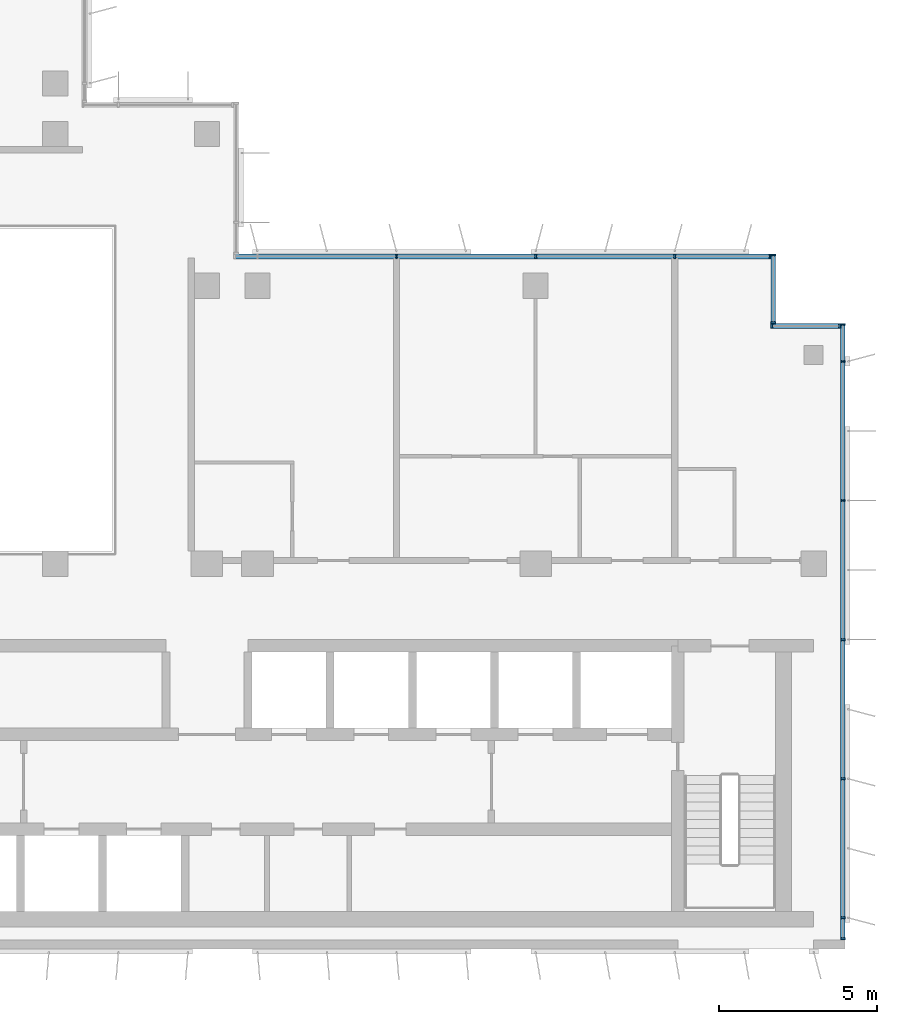
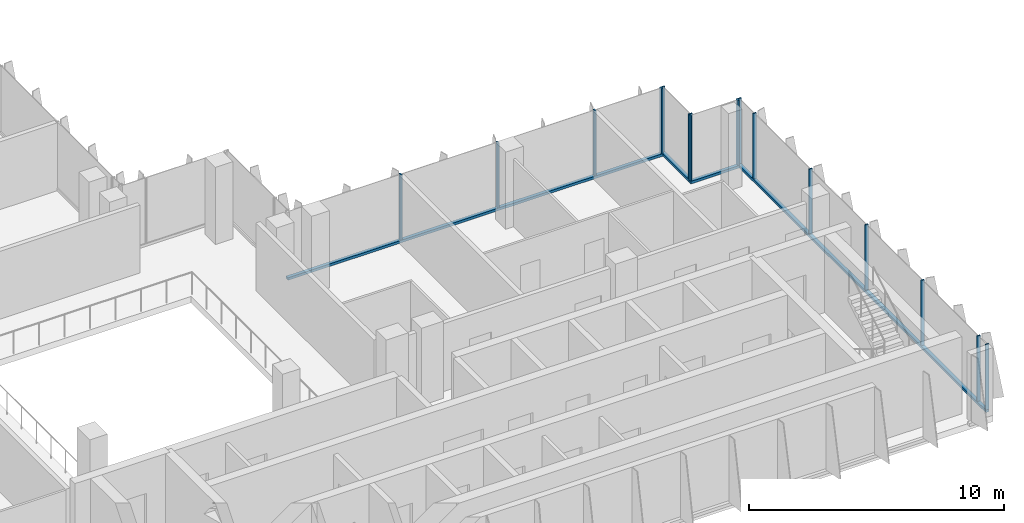
# One storey, part 3 of 15: 19 members, 4 elements without a shape of their own.
"""IFC4 building model written with IfcOpenShell, lengths in metres."""

from ifc_helpers import new_model, si_unit, direction, frame, origin, origin_2d, place, context, subcontext, project, spatial, rectangle, extrude, source, transform, mapped, material, material_profile, profile_set, type_object, element, aggregate, save


model = new_model("IFC4")

# Units and contexts
model_context = context("Model", 3, precision=1e-05, world=origin(), true_north=direction((0.0, 1.0)))
body_context = subcontext(model_context, "Body", "Model", "MODEL_VIEW")
ifc_project = project(units=[si_unit("LENGTHUNIT", "METRE"), si_unit("AREAUNIT", "SQUARE_METRE"), si_unit("VOLUMEUNIT", "CUBIC_METRE"), si_unit("PLANEANGLEUNIT", "RADIAN"), si_unit("MASSUNIT", "GRAM", prefix="KILO")], contexts=[model_context])

# Site, building, storey
site_placement = place(None, origin())
site = spatial("IfcSite", under=ifc_project, at=site_placement, CompositionType="ELEMENT")
building_placement = place(site_placement, origin())
building = spatial("IfcBuilding", under=site, at=building_placement, Name="Kemantara Hotel Tower", CompositionType="ELEMENT")
storey_placement = place(building_placement, frame((0.0, 0.0, 305.5)))
storey = spatial("IfcBuildingStorey", under=building, at=storey_placement, Name="L77", CompositionType="ELEMENT", Elevation=305.5)

# Curtain wall, member
ifc_material_1 = material(Name="Low-E tinted double insulated glass 36 mm", Category="glass")
curtain_wall_type = type_object("IfcCurtainWallType", Name="TOWER CURTAIN WALL, FRONT FACES", PredefinedType="USERDEFINED", material=ifc_material_1)
curtain_wall_1_placement = place(storey_placement, origin())
curtain_wall_1 = element("IfcCurtainWall", 1, at=curtain_wall_1_placement, inside=storey, type_object=curtain_wall_type, Name="CW4 L77 T4-R09-1", ObjectType="TOWER CURTAIN WALL, FRONT FACES", PredefinedType="USERDEFINED")
ifc_material_2 = material(Name="Aluminium 6063-T6 bronze anodised", Category="aluminium")
ifc_material_profile_1 = material_profile(ifc_material_2, rectangle(XDim=0.14990234375, YDim=0.1201171875, at=origin_2d()), Name="TOWER CURTAIN WALL, FRONT FACES TRANSOM")
ifc_profile_set_1 = profile_set([ifc_material_profile_1], Name="Aluminium 6063-T6 bronze anodised")
member_type_1 = type_object("IfcMemberType", Name="TOWER CURTAIN WALL, FRONT FACES TRANSOM", PredefinedType="USERDEFINED", material=ifc_profile_set_1)
member_1_placement = place(storey_placement, frame((45.925048828125, 0.300048828125, 0.06005859375), z_axis=(0.0, 1.0, 0.0), x_axis=(-1.0, 0.0, 0.0)))
member_1 = element("IfcMember", 2, at=member_1_placement, type_object=member_type_1, Name="CW4 sill transom T4-R09-1", ObjectType="TRANSOM", PredefinedType="USERDEFINED", context=body_context, shape_type="SweptSolid", body=[
    extrude(rectangle(XDim=0.14990234375, YDim=0.1201171875, at=origin_2d()), origin(), (0.0, 0.0, 1.0), 19.5),
])

curtain_wall_2_placement = place(storey_placement, origin())
curtain_wall_2 = element("IfcCurtainWall", 3, at=curtain_wall_2_placement, inside=storey, type_object=curtain_wall_type, Name="CW4 L77 T4-R12-1", ObjectType="TOWER CURTAIN WALL, FRONT FACES", PredefinedType="USERDEFINED")
member_2_placement = place(storey_placement, frame((43.64990234375, 21.925048828125, 0.06005859375), z_axis=(-1.0, 0.0, 0.0), x_axis=(0.0, -1.0, 0.0)))
member_2 = element("IfcMember", 4, at=member_2_placement, type_object=member_type_1, Name="CW4 sill transom T4-R12-1", ObjectType="TRANSOM", PredefinedType="USERDEFINED", context=body_context, shape_type="SweptSolid", body=[
    extrude(rectangle(XDim=0.14990234375, YDim=0.1201171875, at=origin_2d()), origin(), (0.0, 0.0, 1.0), 17.0),
])

curtain_wall_3_placement = place(storey_placement, origin())
curtain_wall_3 = element("IfcCurtainWall", 5, at=curtain_wall_3_placement, inside=storey, type_object=curtain_wall_type, Name="CW4 L77 T4-R10-1", ObjectType="TOWER CURTAIN WALL, FRONT FACES", PredefinedType="USERDEFINED")
member_3_placement = place(storey_placement, frame((45.85009765625, 19.72509765625, 0.06005859375), z_axis=(-1.0, 0.0, 0.0), x_axis=(0.0, -1.0, 0.0)))
member_3 = element("IfcMember", 6, at=member_3_placement, type_object=member_type_1, Name="CW4 sill transom T4-R10-1", ObjectType="TRANSOM", PredefinedType="USERDEFINED", context=body_context, shape_type="SweptSolid", body=[
    extrude(rectangle(XDim=0.14990234375, YDim=0.1201171875, at=origin_2d()), origin(), (0.0, 0.0, 1.0), 2.2001953125),
])

curtain_wall_4_placement = place(storey_placement, origin())
curtain_wall_4 = element("IfcCurtainWall", 7, at=curtain_wall_4_placement, inside=storey, type_object=curtain_wall_type, Name="CW4 L77 T4-R11-1", ObjectType="TOWER CURTAIN WALL, FRONT FACES", PredefinedType="USERDEFINED")
member_4_placement = place(storey_placement, frame((43.72509765625, 19.800048828125, 0.06005859375), z_axis=(0.0, 1.0, 0.0), x_axis=(-1.0, 0.0, 0.0)))
member_4 = element("IfcMember", 8, at=member_4_placement, type_object=member_type_1, Name="CW4 sill transom T4-R11-1", ObjectType="TRANSOM", PredefinedType="USERDEFINED", context=body_context, shape_type="SweptSolid", body=[
    extrude(rectangle(XDim=0.14990234375, YDim=0.1201171875, at=origin_2d()), origin(), (0.0, 0.0, 1.0), 2.199951171875),
])

# Member
ifc_material_profile_2 = material_profile(ifc_material_2, rectangle(XDim=0.14990234375, YDim=0.06005859375, at=origin_2d()), Name="TOWER CURTAIN WALL, FRONT FACES MULLION")
ifc_profile_set_2 = profile_set([ifc_material_profile_2], Name="Aluminium 6063-T6 bronze anodised")
member_type_2 = type_object("IfcMemberType", Name="TOWER CURTAIN WALL, FRONT FACES MULLION", PredefinedType="MULLION", material=ifc_profile_set_2)
shared_shape = source(origin(), body_context, "Body", "SweptSolid", [
    extrude(rectangle(XDim=0.14990234375, YDim=0.06005859375, at=origin_2d()), origin(), (0.0, 0.0, 1.0), 3.1298828125),
])
member_5_placement = place(storey_placement, frame((45.925048828125, 0.330078125, 0.1201171875), z_axis=(0.0, 0.0, 1.0), x_axis=(-1.0, 0.0, 0.0)))
member_5 = element("IfcMember", 9, at=member_5_placement, type_object=member_type_2, Name="CW4 mullion T4-R09-1.1", PredefinedType="MULLION", context=body_context, shape_type="MappedRepresentation", body=[
    mapped(shared_shape, transform((0.0, 0.0, 0.0))),
])

member_6_placement = place(storey_placement, frame((45.925048828125, 1.0, 0.1201171875), z_axis=(0.0, 0.0, 1.0), x_axis=(-1.0, 0.0, 0.0)))
member_6 = element("IfcMember", 10, at=member_6_placement, type_object=member_type_2, Name="CW4 mullion T4-R09-1.2", PredefinedType="MULLION", context=body_context, shape_type="MappedRepresentation", body=[
    mapped(shared_shape, transform((0.0, 0.0, 0.0))),
])

member_7_placement = place(storey_placement, frame((45.925048828125, 5.39990234375, 0.1201171875), z_axis=(0.0, 0.0, 1.0), x_axis=(-1.0, 0.0, 0.0)))
member_7 = element("IfcMember", 11, at=member_7_placement, type_object=member_type_2, Name="CW4 mullion T4-R09-1.3", PredefinedType="MULLION", context=body_context, shape_type="MappedRepresentation", body=[
    mapped(shared_shape, transform((0.0, 0.0, 0.0))),
])

member_8_placement = place(storey_placement, frame((45.925048828125, 9.800048828125, 0.1201171875), z_axis=(0.0, 0.0, 1.0), x_axis=(-1.0, 0.0, 0.0)))
member_8 = element("IfcMember", 12, at=member_8_placement, type_object=member_type_2, Name="CW4 mullion T4-R09-1.4", PredefinedType="MULLION", context=body_context, shape_type="MappedRepresentation", body=[
    mapped(shared_shape, transform((0.0, 0.0, 0.0))),
])

member_9_placement = place(storey_placement, frame((45.925048828125, 14.199951171875, 0.1201171875), z_axis=(0.0, 0.0, 1.0), x_axis=(-1.0, 0.0, 0.0)))
member_9 = element("IfcMember", 13, at=member_9_placement, type_object=member_type_2, Name="CW4 mullion T4-R09-1.5", PredefinedType="MULLION", context=body_context, shape_type="MappedRepresentation", body=[
    mapped(shared_shape, transform((0.0, 0.0, 0.0))),
])

member_10_placement = place(storey_placement, frame((45.925048828125, 18.60009765625, 0.1201171875), z_axis=(0.0, 0.0, 1.0), x_axis=(-1.0, 0.0, 0.0)))
member_10 = element("IfcMember", 14, at=member_10_placement, type_object=member_type_2, Name="CW4 mullion T4-R09-1.6", PredefinedType="MULLION", context=body_context, shape_type="MappedRepresentation", body=[
    mapped(shared_shape, transform((0.0, 0.0, 0.0))),
])

member_11_placement = place(storey_placement, frame((45.925048828125, 19.77001953125, 0.1201171875), z_axis=(0.0, 0.0, 1.0), x_axis=(-1.0, 0.0, 0.0)))
member_11 = element("IfcMember", 15, at=member_11_placement, type_object=member_type_2, Name="CW4 mullion T4-R09-1.7", PredefinedType="MULLION", context=body_context, shape_type="MappedRepresentation", body=[
    mapped(shared_shape, transform((0.0, 0.0, 0.0))),
])

aggregate(curtain_wall_1, [member_1, member_5, member_6, member_7, member_8, member_9, member_10, member_11])

member_12_placement = place(storey_placement, frame((43.6201171875, 21.925048828125, 0.1201171875), z_axis=(0.0, 0.0, 1.0), x_axis=(0.0, -1.0, 0.0)))
member_12 = element("IfcMember", 16, at=member_12_placement, type_object=member_type_2, Name="CW4 mullion T4-R12-1.1", PredefinedType="MULLION", context=body_context, shape_type="MappedRepresentation", body=[
    mapped(shared_shape, transform((0.0, 0.0, 0.0))),
])

member_13_placement = place(storey_placement, frame((40.60009765625, 21.925048828125, 0.1201171875), z_axis=(0.0, 0.0, 1.0), x_axis=(0.0, -1.0, 0.0)))
member_13 = element("IfcMember", 17, at=member_13_placement, type_object=member_type_2, Name="CW4 mullion T4-R12-1.2", PredefinedType="MULLION", context=body_context, shape_type="MappedRepresentation", body=[
    mapped(shared_shape, transform((0.0, 0.0, 0.0))),
])

member_14_placement = place(storey_placement, frame((36.199951171875, 21.925048828125, 0.1201171875), z_axis=(0.0, 0.0, 1.0), x_axis=(0.0, -1.0, 0.0)))
member_14 = element("IfcMember", 18, at=member_14_placement, type_object=member_type_2, Name="CW4 mullion T4-R12-1.3", PredefinedType="MULLION", context=body_context, shape_type="MappedRepresentation", body=[
    mapped(shared_shape, transform((0.0, 0.0, 0.0))),
])

member_15_placement = place(storey_placement, frame((31.800048828125, 21.925048828125, 0.1201171875), z_axis=(0.0, 0.0, 1.0), x_axis=(0.0, -1.0, 0.0)))
member_15 = element("IfcMember", 19, at=member_15_placement, type_object=member_type_2, Name="CW4 mullion T4-R12-1.4", PredefinedType="MULLION", context=body_context, shape_type="MappedRepresentation", body=[
    mapped(shared_shape, transform((0.0, 0.0, 0.0))),
])

aggregate(curtain_wall_2, [member_2, member_12, member_13, member_14, member_15])

member_16_placement = place(storey_placement, frame((45.820068359375, 19.72509765625, 0.1201171875), z_axis=(0.0, 0.0, 1.0), x_axis=(0.0, -1.0, 0.0)))
member_16 = element("IfcMember", 20, at=member_16_placement, type_object=member_type_2, Name="CW4 mullion T4-R10-1.1", PredefinedType="MULLION", context=body_context, shape_type="MappedRepresentation", body=[
    mapped(shared_shape, transform((0.0, 0.0, 0.0))),
])

member_17_placement = place(storey_placement, frame((43.679931640625, 19.72509765625, 0.1201171875), z_axis=(0.0, 0.0, 1.0), x_axis=(0.0, -1.0, 0.0)))
member_17 = element("IfcMember", 21, at=member_17_placement, type_object=member_type_2, Name="CW4 mullion T4-R10-1.2", PredefinedType="MULLION", context=body_context, shape_type="MappedRepresentation", body=[
    mapped(shared_shape, transform((0.0, 0.0, 0.0))),
])

aggregate(curtain_wall_3, [member_3, member_16, member_17])

member_18_placement = place(storey_placement, frame((43.72509765625, 19.830078125, 0.1201171875), z_axis=(0.0, 0.0, 1.0), x_axis=(-1.0, 0.0, 0.0)))
member_18 = element("IfcMember", 22, at=member_18_placement, type_object=member_type_2, Name="CW4 mullion T4-R11-1.1", PredefinedType="MULLION", context=body_context, shape_type="MappedRepresentation", body=[
    mapped(shared_shape, transform((0.0, 0.0, 0.0))),
])

member_19_placement = place(storey_placement, frame((43.72509765625, 21.969970703125, 0.1201171875), z_axis=(0.0, 0.0, 1.0), x_axis=(-1.0, 0.0, 0.0)))
member_19 = element("IfcMember", 23, at=member_19_placement, type_object=member_type_2, Name="CW4 mullion T4-R11-1.2", PredefinedType="MULLION", context=body_context, shape_type="MappedRepresentation", body=[
    mapped(shared_shape, transform((0.0, 0.0, 0.0))),
])

aggregate(curtain_wall_4, [member_4, member_18, member_19])

save(model, "model.ifc")
